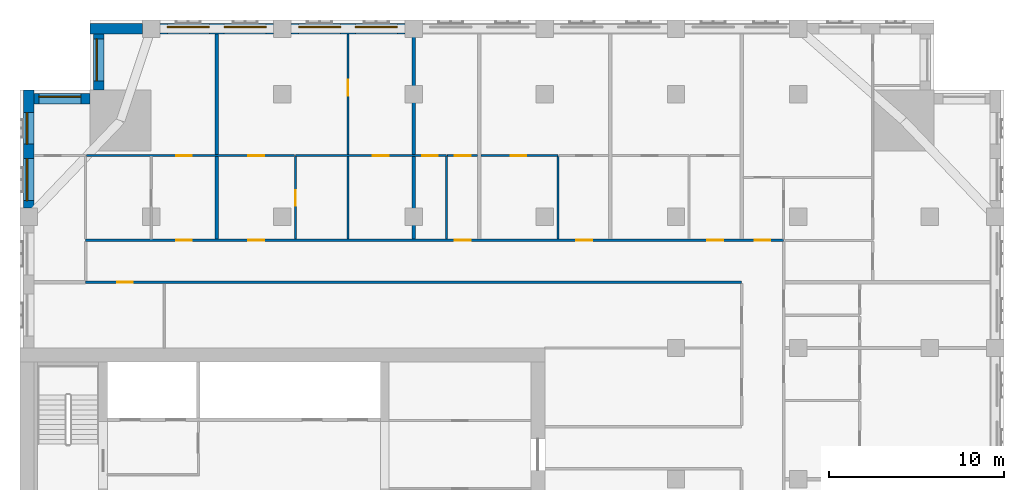
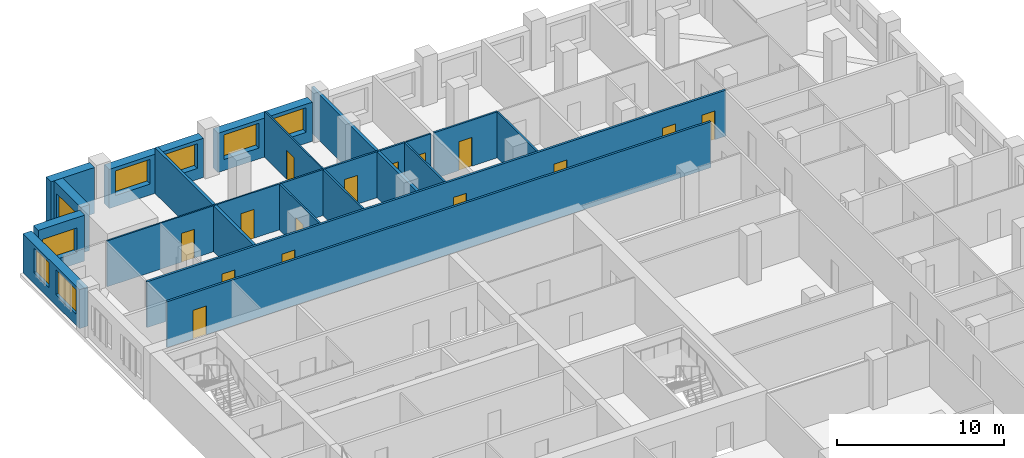
# One storey, part 9 of 14: 19 walls, 15 doors, 8 windows, 23 openings.
"""IFC4 building model written with IfcOpenShell, lengths in metres."""

from ifc_helpers import new_model, si_unit, direction, frame, frame_2d, origin, place, context, subcontext, project, spatial, rectangle, extrude, material, layer, layer_set, type_object, element, fill, save


model = new_model("IFC4")

# Units and contexts
model_context = context("Model", 3, precision=1e-05, world=origin(), true_north=direction((0.0, 1.0)))
body_context = subcontext(model_context, "Body", "Model", "MODEL_VIEW")
ifc_project = project(units=[si_unit("LENGTHUNIT", "METRE"), si_unit("AREAUNIT", "SQUARE_METRE"), si_unit("VOLUMEUNIT", "CUBIC_METRE"), si_unit("PLANEANGLEUNIT", "RADIAN"), si_unit("MASSUNIT", "GRAM", prefix="KILO")], contexts=[model_context])

# Site, building, storey
site_placement = place(None, origin())
site = spatial("IfcSite", under=ifc_project, at=site_placement, CompositionType="ELEMENT")
building_placement = place(site_placement, origin())
building = spatial("IfcBuilding", under=site, at=building_placement, Name="Tamorin Gate", CompositionType="ELEMENT")
storey_placement = place(building_placement, frame((0.0, 0.0, 148.199951171875)))
storey = spatial("IfcBuildingStorey", under=building, at=storey_placement, Name="L36", CompositionType="ELEMENT", Elevation=148.199951171875)

# Wall, openings, windows
ifc_material_1 = material(Name="Precast concrete C40/50", Category="concrete")
ifc_layer_1 = layer(ifc_material_1, 0.60009765625)
ifc_layer_set_1 = layer_set([ifc_layer_1], Name="Precast concrete C40/50")
wall_type_1 = type_object("IfcWallType", Name="Board-marked concrete facade panel 600", PredefinedType="SOLIDWALL", material=ifc_layer_set_1)
wall_1_placement = place(storey_placement, frame((52.0, 100.75, 0.0), z_axis=(0.0, 0.0, 1.0), x_axis=(-1.0, 0.0, 0.0)))
wall_1 = element("IfcWall", 1, at=wall_1_placement, inside=storey, type_object=wall_type_1, Name="Facade panel", PredefinedType="SOLIDWALL", context=body_context, shape_type="SweptSolid", body=[
    extrude(rectangle(XDim=6.5, YDim=0.60009765625, at=frame_2d((3.25, 0.0))), origin(), (0.0, 0.0, 1.0), 2.85009765625),
])
opening_1_placement = place(wall_1_placement, frame((3.675048828125, 0.0, 0.800048828125)))
opening_1 = element("IfcOpeningElement", 2, at=opening_1_placement, cuts=wall_1, Name="Opening WN1", PredefinedType="OPENING", context=body_context, shape_type="SweptSolid", body=[
    extrude(rectangle(XDim=2.39990234375, YDim=1.800048828125, at=frame_2d((1.199951171875, 0.89990234375))), frame((0.0, 0.31005859375, 0.0), z_axis=(0.0, -1.0, 0.0), x_axis=(1.0, 0.0, 0.0)), (0.0, 0.0, 1.0), 0.6201171875),
])
opening_2_placement = place(wall_1_placement, frame((0.425048828125, 0.0, 0.800048828125)))
opening_2 = element("IfcOpeningElement", 3, at=opening_2_placement, cuts=wall_1, Name="Opening WN1", PredefinedType="OPENING", context=body_context, shape_type="SweptSolid", body=[
    extrude(rectangle(XDim=2.39990234375, YDim=1.800048828125, at=frame_2d((1.199951171875, 0.89990234375))), frame((0.0, 0.31005859375, 0.0), z_axis=(0.0, -1.0, 0.0), x_axis=(1.0, 0.0, 0.0)), (0.0, 0.0, 1.0), 0.6201171875),
])
ifc_material_2 = material(Name="Clear glass in aluminium frame", Category="aluminium")
window_type_1 = type_object("IfcWindowType", Name="Deep-set window 2400x1800", PartitioningType="SINGLE_PANEL", PredefinedType="WINDOW", material=ifc_material_2)
window_1_placement = place(opening_1_placement, origin())
window_1 = element("IfcWindow", 4, at=window_1_placement, inside=storey, type_object=window_type_1, Name="Deep-set window", OverallHeight=1.800048828125, OverallWidth=2.39990234375, PartitioningType="SINGLE_PANEL", PredefinedType="WINDOW", context=body_context, shape_type="SweptSolid", body=[
    extrude(rectangle(XDim=2.39990234375, YDim=1.800048828125, at=frame_2d((1.199951171875, 0.89990234375))), frame((0.0, -0.070068359375, 0.0), z_axis=(0.0, -1.0, 0.0), x_axis=(1.0, 0.0, 0.0)), (0.0, 0.0, 1.0), 0.06005859375),
])
fill(opening_1, window_1)
window_2_placement = place(opening_2_placement, origin())
window_2 = element("IfcWindow", 5, at=window_2_placement, inside=storey, type_object=window_type_1, Name="Deep-set window", OverallHeight=1.800048828125, OverallWidth=2.39990234375, PartitioningType="SINGLE_PANEL", PredefinedType="WINDOW", context=body_context, shape_type="SweptSolid", body=[
    extrude(rectangle(XDim=2.39990234375, YDim=1.800048828125, at=frame_2d((1.199951171875, 0.89990234375))), frame((0.0, -0.070068359375, 0.0), z_axis=(0.0, -1.0, 0.0), x_axis=(1.0, 0.0, 0.0)), (0.0, 0.0, 1.0), 0.06005859375),
])
fill(opening_2, window_2)

wall_2_placement = place(storey_placement, frame((44.5, 100.75, 0.0), z_axis=(0.0, 0.0, 1.0), x_axis=(-1.0, 0.0, 0.0)))
wall_2 = element("IfcWall", 6, at=wall_2_placement, inside=storey, type_object=wall_type_1, Name="Facade panel", PredefinedType="SOLIDWALL", context=body_context, shape_type="SweptSolid", body=[
    extrude(rectangle(XDim=6.5, YDim=0.60009765625, at=frame_2d((3.25, 0.0))), origin(), (0.0, 0.0, 1.0), 2.85009765625),
])
opening_3_placement = place(wall_2_placement, frame((3.675048828125, 0.0, 0.800048828125)))
opening_3 = element("IfcOpeningElement", 7, at=opening_3_placement, cuts=wall_2, Name="Opening WN1", PredefinedType="OPENING", context=body_context, shape_type="SweptSolid", body=[
    extrude(rectangle(XDim=2.39990234375, YDim=1.800048828125, at=frame_2d((1.199951171875, 0.89990234375))), frame((0.0, 0.31005859375, 0.0), z_axis=(0.0, -1.0, 0.0), x_axis=(1.0, 0.0, 0.0)), (0.0, 0.0, 1.0), 0.6201171875),
])
opening_4_placement = place(wall_2_placement, frame((0.425048828125, 0.0, 0.800048828125)))
opening_4 = element("IfcOpeningElement", 8, at=opening_4_placement, cuts=wall_2, Name="Opening WN1", PredefinedType="OPENING", context=body_context, shape_type="SweptSolid", body=[
    extrude(rectangle(XDim=2.39990234375, YDim=1.800048828125, at=frame_2d((1.199951171875, 0.89990234375))), frame((0.0, 0.31005859375, 0.0), z_axis=(0.0, -1.0, 0.0), x_axis=(1.0, 0.0, 0.0)), (0.0, 0.0, 1.0), 0.6201171875),
])
window_3_placement = place(opening_3_placement, origin())
window_3 = element("IfcWindow", 9, at=window_3_placement, inside=storey, type_object=window_type_1, Name="Deep-set window", OverallHeight=1.800048828125, OverallWidth=2.39990234375, PartitioningType="SINGLE_PANEL", PredefinedType="WINDOW", context=body_context, shape_type="SweptSolid", body=[
    extrude(rectangle(XDim=2.39990234375, YDim=1.800048828125, at=frame_2d((1.199951171875, 0.89990234375))), frame((0.0, -0.070068359375, 0.0), z_axis=(0.0, -1.0, 0.0), x_axis=(1.0, 0.0, 0.0)), (0.0, 0.0, 1.0), 0.06005859375),
])
fill(opening_3, window_3)
window_4_placement = place(opening_4_placement, origin())
window_4 = element("IfcWindow", 10, at=window_4_placement, inside=storey, type_object=window_type_1, Name="Deep-set window", OverallHeight=1.800048828125, OverallWidth=2.39990234375, PartitioningType="SINGLE_PANEL", PredefinedType="WINDOW", context=body_context, shape_type="SweptSolid", body=[
    extrude(rectangle(XDim=2.39990234375, YDim=1.800048828125, at=frame_2d((1.199951171875, 0.89990234375))), frame((0.0, -0.070068359375, 0.0), z_axis=(0.0, -1.0, 0.0), x_axis=(1.0, 0.0, 0.0)), (0.0, 0.0, 1.0), 0.06005859375),
])
fill(opening_4, window_4)

# Wall
wall_3_placement = place(storey_placement, frame((37.0, 100.75, 0.0), z_axis=(0.0, 0.0, 1.0), x_axis=(-1.0, 0.0, 0.0)))
element("IfcWall", 11, at=wall_3_placement, inside=storey, type_object=wall_type_1, Name="Facade panel", PredefinedType="SOLIDWALL", context=body_context, shape_type="SweptSolid", body=[
    extrude(rectangle(XDim=3.0, YDim=0.60009765625, at=frame_2d((1.5, 0.0))), origin(), (0.0, 0.0, 1.0), 3.35009765625),
])

# Wall, opening, window
wall_4_placement = place(storey_placement, frame((34.5, 100.449951171875, 0.0), z_axis=(0.0, 0.0, 1.0), x_axis=(0.0, -1.0, 0.0)))
wall_4 = element("IfcWall", 12, at=wall_4_placement, inside=storey, type_object=wall_type_1, Name="Facade panel", PredefinedType="SOLIDWALL", context=body_context, shape_type="SweptSolid", body=[
    extrude(rectangle(XDim=3.199951171875, YDim=0.60009765625, at=frame_2d((1.60009765625, 0.0))), origin(), (0.0, 0.0, 1.0), 3.35009765625),
])
opening_5_placement = place(wall_4_placement, frame((0.27490234375, 0.0, 0.800048828125)))
opening_5 = element("IfcOpeningElement", 13, at=opening_5_placement, cuts=wall_4, Name="Opening WN1", PredefinedType="OPENING", context=body_context, shape_type="SweptSolid", body=[
    extrude(rectangle(XDim=2.39990234375, YDim=1.800048828125, at=frame_2d((1.199951171875, 0.89990234375))), frame((0.0, 0.31005859375, 0.0), z_axis=(0.0, -1.0, 0.0), x_axis=(1.0, 0.0, 0.0)), (0.0, 0.0, 1.0), 0.6201171875),
])
window_5_placement = place(opening_5_placement, origin())
window_5 = element("IfcWindow", 14, at=window_5_placement, inside=storey, type_object=window_type_1, Name="Deep-set window", OverallHeight=1.800048828125, OverallWidth=2.39990234375, PartitioningType="SINGLE_PANEL", PredefinedType="WINDOW", context=body_context, shape_type="SweptSolid", body=[
    extrude(rectangle(XDim=2.39990234375, YDim=1.800048828125, at=frame_2d((1.199951171875, 0.89990234375))), frame((0.0, -0.070068359375, 0.0), z_axis=(0.0, -1.0, 0.0), x_axis=(1.0, 0.0, 0.0)), (0.0, 0.0, 1.0), 0.06005859375),
])
fill(opening_5, window_5)

wall_5_placement = place(storey_placement, frame((34.0, 96.75, 0.0), z_axis=(0.0, 0.0, 1.0), x_axis=(-1.0, 0.0, 0.0)))
wall_5 = element("IfcWall", 15, at=wall_5_placement, inside=storey, type_object=wall_type_1, Name="Facade panel", PredefinedType="SOLIDWALL", context=body_context, shape_type="SweptSolid", body=[
    extrude(rectangle(XDim=3.199951171875, YDim=0.60009765625, at=frame_2d((1.60009765625, 0.0))), origin(), (0.0, 0.0, 1.0), 3.35009765625),
])
opening_6_placement = place(wall_5_placement, frame((0.52490234375, 0.0, 0.800048828125)))
opening_6 = element("IfcOpeningElement", 16, at=opening_6_placement, cuts=wall_5, Name="Opening WN1", PredefinedType="OPENING", context=body_context, shape_type="SweptSolid", body=[
    extrude(rectangle(XDim=2.39990234375, YDim=1.800048828125, at=frame_2d((1.199951171875, 0.89990234375))), frame((0.0, 0.31005859375, 0.0), z_axis=(0.0, -1.0, 0.0), x_axis=(1.0, 0.0, 0.0)), (0.0, 0.0, 1.0), 0.6201171875),
])
window_6_placement = place(opening_6_placement, origin())
window_6 = element("IfcWindow", 17, at=window_6_placement, inside=storey, type_object=window_type_1, Name="Deep-set window", OverallHeight=1.800048828125, OverallWidth=2.39990234375, PartitioningType="SINGLE_PANEL", PredefinedType="WINDOW", context=body_context, shape_type="SweptSolid", body=[
    extrude(rectangle(XDim=2.39990234375, YDim=1.800048828125, at=frame_2d((1.199951171875, 0.89990234375))), frame((0.0, -0.070068359375, 0.0), z_axis=(0.0, -1.0, 0.0), x_axis=(1.0, 0.0, 0.0)), (0.0, 0.0, 1.0), 0.06005859375),
])
fill(opening_6, window_6)

# Wall, openings, windows
wall_6_placement = place(storey_placement, frame((30.5, 97.25, 0.0), z_axis=(0.0, 0.0, 1.0), x_axis=(0.0, -1.0, 0.0)))
wall_6 = element("IfcWall", 18, at=wall_6_placement, inside=storey, type_object=wall_type_1, Name="Facade panel", PredefinedType="SOLIDWALL", context=body_context, shape_type="SweptSolid", body=[
    extrude(rectangle(XDim=6.75, YDim=0.60009765625, at=frame_2d((3.375, 0.0))), origin(), (0.0, 0.0, 1.0), 2.85009765625),
])
opening_7_placement = place(wall_6_placement, frame((3.925048828125, 0.0, 0.800048828125)))
opening_7 = element("IfcOpeningElement", 19, at=opening_7_placement, cuts=wall_6, Name="Opening WN1", PredefinedType="OPENING", context=body_context, shape_type="SweptSolid", body=[
    extrude(rectangle(XDim=2.39990234375, YDim=1.800048828125, at=frame_2d((1.199951171875, 0.89990234375))), frame((0.0, 0.31005859375, 0.0), z_axis=(0.0, -1.0, 0.0), x_axis=(1.0, 0.0, 0.0)), (0.0, 0.0, 1.0), 0.6201171875),
])
opening_8_placement = place(wall_6_placement, frame((1.300048828125, 0.0, 0.800048828125)))
opening_8 = element("IfcOpeningElement", 20, at=opening_8_placement, cuts=wall_6, Name="Opening WN2", PredefinedType="OPENING", context=body_context, shape_type="SweptSolid", body=[
    extrude(rectangle(XDim=1.800048828125, YDim=1.800048828125, at=frame_2d((0.89990234375, 0.89990234375))), frame((0.0, 0.31005859375, 0.0), z_axis=(0.0, -1.0, 0.0), x_axis=(1.0, 0.0, 0.0)), (0.0, 0.0, 1.0), 0.6201171875),
])
window_type_2 = type_object("IfcWindowType", Name="Deep-set window 1800x1800", PartitioningType="SINGLE_PANEL", PredefinedType="WINDOW", material=ifc_material_2)
window_7_placement = place(opening_8_placement, origin())
window_7 = element("IfcWindow", 21, at=window_7_placement, inside=storey, type_object=window_type_2, Name="Deep-set window", OverallHeight=1.800048828125, OverallWidth=1.800048828125, PartitioningType="SINGLE_PANEL", PredefinedType="WINDOW", context=body_context, shape_type="SweptSolid", body=[
    extrude(rectangle(XDim=1.800048828125, YDim=1.800048828125, at=frame_2d((0.89990234375, 0.89990234375))), frame((0.0, -0.070068359375, 0.0), z_axis=(0.0, -1.0, 0.0), x_axis=(1.0, 0.0, 0.0)), (0.0, 0.0, 1.0), 0.06005859375),
])
fill(opening_8, window_7)
window_8_placement = place(opening_7_placement, origin())
window_8 = element("IfcWindow", 22, at=window_8_placement, inside=storey, type_object=window_type_1, Name="Deep-set window", OverallHeight=1.800048828125, OverallWidth=2.39990234375, PartitioningType="SINGLE_PANEL", PredefinedType="WINDOW", context=body_context, shape_type="SweptSolid", body=[
    extrude(rectangle(XDim=2.39990234375, YDim=1.800048828125, at=frame_2d((1.199951171875, 0.89990234375))), frame((0.0, -0.070068359375, 0.0), z_axis=(0.0, -1.0, 0.0), x_axis=(1.0, 0.0, 0.0)), (0.0, 0.0, 1.0), 0.06005859375),
])
fill(opening_7, window_8)

# Wall, opening, door
ifc_material_3 = material(Name="Gypsum board partition")
ifc_layer_2 = layer(ifc_material_3, 0.14990234375)
ifc_layer_set_2 = layer_set([ifc_layer_2], Name="Corridor wall 150")
wall_type_2 = type_object("IfcWallType", Name="Corridor wall 150", PredefinedType="PARTITIONING", material=ifc_layer_set_2)
wall_7_placement = place(storey_placement, frame((33.75, 86.25, 0.0), z_axis=(0.0, 0.0, 1.0), x_axis=(1.0, 0.0, 0.0)))
wall_7 = element("IfcWall", 23, at=wall_7_placement, inside=storey, type_object=wall_type_2, Name="Corridor wall 150", PredefinedType="PARTITIONING", context=body_context, shape_type="SweptSolid", body=[
    extrude(rectangle(XDim=37.5, YDim=0.14990234375, at=frame_2d((18.75, 0.0))), origin(), (0.0, 0.0, 1.0), 3.35009765625),
])
opening_9_placement = place(wall_7_placement, frame((1.800048828125, 0.0, 0.0)))
opening_9 = element("IfcOpeningElement", 24, at=opening_9_placement, cuts=wall_7, Name="Opening DS2070", PredefinedType="OPENING", context=body_context, shape_type="SweptSolid", body=[
    extrude(rectangle(XDim=0.89990234375, YDim=2.10009765625, at=frame_2d((0.449951171875, 1.050048828125))), frame((0.0, 0.0849609375, 0.0), z_axis=(0.0, -1.0, 0.0), x_axis=(1.0, 0.0, 0.0)), (0.0, 0.0, 1.0), 0.169921875),
])
ifc_material_4 = material(Name="Timber door leaf", Category="wood")
door_type_1 = type_object("IfcDoorType", Name="Door 900 x 2100 FD30S", OperationType="NOTDEFINED", PredefinedType="DOOR", material=ifc_material_4)
door_1_placement = place(opening_9_placement, origin())
door_1 = element("IfcDoor", 25, at=door_1_placement, inside=storey, type_object=door_type_1, Name="Door DS2070", OperationType="SINGLE_SWING_RIGHT", OverallHeight=2.10009765625, OverallWidth=0.89990234375, PredefinedType="DOOR", context=body_context, shape_type="SweptSolid", body=[
    extrude(rectangle(XDim=0.89990234375, YDim=2.10009765625, at=frame_2d((0.449951171875, 1.050048828125))), frame((0.0, 0.02490234375, 0.0), z_axis=(0.0, -1.0, 0.0), x_axis=(1.0, 0.0, 0.0)), (0.0, 0.0, 1.0), 0.050048828125),
])
fill(opening_9, door_1)

# Wall, openings, doors
wall_8_placement = place(storey_placement, frame((33.75, 88.64990234375, 0.0), z_axis=(0.0, 0.0, 1.0), x_axis=(1.0, 0.0, 0.0)))
wall_8 = element("IfcWall", 26, at=wall_8_placement, inside=storey, type_object=wall_type_2, Name="Corridor wall 150", PredefinedType="PARTITIONING", context=body_context, shape_type="SweptSolid", body=[
    extrude(rectangle(XDim=39.89990234375, YDim=0.14990234375, at=frame_2d((19.949951171875, 0.0))), origin(), (0.0, 0.0, 1.0), 3.35009765625),
])
opening_10_placement = place(wall_8_placement, frame((5.175048828125, 0.0, 0.0)))
opening_10 = element("IfcOpeningElement", 27, at=opening_10_placement, cuts=wall_8, Name="Opening DS2021", PredefinedType="OPENING", context=body_context, shape_type="SweptSolid", body=[
    extrude(rectangle(XDim=0.89990234375, YDim=2.10009765625, at=frame_2d((0.449951171875, 1.050048828125))), frame((0.0, 0.0849609375, 0.0), z_axis=(0.0, -1.0, 0.0), x_axis=(1.0, 0.0, 0.0)), (0.0, 0.0, 1.0), 0.169921875),
])
opening_11_placement = place(wall_8_placement, frame((9.300048828125, 0.0, 0.0)))
opening_11 = element("IfcOpeningElement", 28, at=opening_11_placement, cuts=wall_8, Name="Opening DS2023", PredefinedType="OPENING", context=body_context, shape_type="SweptSolid", body=[
    extrude(rectangle(XDim=0.89990234375, YDim=2.10009765625, at=frame_2d((0.449951171875, 1.050048828125))), frame((0.0, 0.0849609375, 0.0), z_axis=(0.0, -1.0, 0.0), x_axis=(1.0, 0.0, 0.0)), (0.0, 0.0, 1.0), 0.169921875),
])
opening_12_placement = place(wall_8_placement, frame((21.112548828125, 0.0, 0.0)))
opening_12 = element("IfcOpeningElement", 29, at=opening_12_placement, cuts=wall_8, Name="Opening DS2029", PredefinedType="OPENING", context=body_context, shape_type="SweptSolid", body=[
    extrude(rectangle(XDim=0.89990234375, YDim=2.10009765625, at=frame_2d((0.449951171875, 1.050048828125))), frame((0.0, 0.0849609375, 0.0), z_axis=(0.0, -1.0, 0.0), x_axis=(1.0, 0.0, 0.0)), (0.0, 0.0, 1.0), 0.169921875),
])
opening_13_placement = place(wall_8_placement, frame((28.050048828125, 0.0, 0.0)))
opening_13 = element("IfcOpeningElement", 30, at=opening_13_placement, cuts=wall_8, Name="Opening DS2032", PredefinedType="OPENING", context=body_context, shape_type="SweptSolid", body=[
    extrude(rectangle(XDim=0.89990234375, YDim=2.10009765625, at=frame_2d((0.449951171875, 1.050048828125))), frame((0.0, 0.0849609375, 0.0), z_axis=(0.0, -1.0, 0.0), x_axis=(1.0, 0.0, 0.0)), (0.0, 0.0, 1.0), 0.169921875),
])
opening_14_placement = place(wall_8_placement, frame((35.550048828125, 0.0, 0.0)))
opening_14 = element("IfcOpeningElement", 31, at=opening_14_placement, cuts=wall_8, Name="Opening DS2035", PredefinedType="OPENING", context=body_context, shape_type="SweptSolid", body=[
    extrude(rectangle(XDim=0.89990234375, YDim=2.10009765625, at=frame_2d((0.449951171875, 1.050048828125))), frame((0.0, 0.0849609375, 0.0), z_axis=(0.0, -1.0, 0.0), x_axis=(1.0, 0.0, 0.0)), (0.0, 0.0, 1.0), 0.169921875),
])
opening_15_placement = place(wall_8_placement, frame((38.25, 0.0, 0.0)))
opening_15 = element("IfcOpeningElement", 32, at=opening_15_placement, cuts=wall_8, Name="Opening DS2060", PredefinedType="OPENING", context=body_context, shape_type="SweptSolid", body=[
    extrude(rectangle(XDim=0.89990234375, YDim=2.10009765625, at=frame_2d((0.449951171875, 1.050048828125))), frame((0.0, 0.0849609375, 0.0), z_axis=(0.0, -1.0, 0.0), x_axis=(1.0, 0.0, 0.0)), (0.0, 0.0, 1.0), 0.169921875),
])
door_2_placement = place(opening_10_placement, origin())
door_2 = element("IfcDoor", 33, at=door_2_placement, inside=storey, type_object=door_type_1, Name="Door DS2021", OperationType="SINGLE_SWING_LEFT", OverallHeight=2.10009765625, OverallWidth=0.89990234375, PredefinedType="DOOR", context=body_context, shape_type="SweptSolid", body=[
    extrude(rectangle(XDim=0.89990234375, YDim=2.10009765625, at=frame_2d((0.449951171875, 1.050048828125))), frame((0.0, 0.02490234375, 0.0), z_axis=(0.0, -1.0, 0.0), x_axis=(1.0, 0.0, 0.0)), (0.0, 0.0, 1.0), 0.050048828125),
])
fill(opening_10, door_2)
door_3_placement = place(opening_11_placement, origin())
door_3 = element("IfcDoor", 34, at=door_3_placement, inside=storey, type_object=door_type_1, Name="Door DS2023", OperationType="SINGLE_SWING_LEFT", OverallHeight=2.10009765625, OverallWidth=0.89990234375, PredefinedType="DOOR", context=body_context, shape_type="SweptSolid", body=[
    extrude(rectangle(XDim=0.89990234375, YDim=2.10009765625, at=frame_2d((0.449951171875, 1.050048828125))), frame((0.0, 0.02490234375, 0.0), z_axis=(0.0, -1.0, 0.0), x_axis=(1.0, 0.0, 0.0)), (0.0, 0.0, 1.0), 0.050048828125),
])
fill(opening_11, door_3)
door_4_placement = place(opening_12_placement, origin())
door_4 = element("IfcDoor", 35, at=door_4_placement, inside=storey, type_object=door_type_1, Name="Door DS2029", OperationType="SINGLE_SWING_LEFT", OverallHeight=2.10009765625, OverallWidth=0.89990234375, PredefinedType="DOOR", context=body_context, shape_type="SweptSolid", body=[
    extrude(rectangle(XDim=0.89990234375, YDim=2.10009765625, at=frame_2d((0.449951171875, 1.050048828125))), frame((0.0, 0.02490234375, 0.0), z_axis=(0.0, -1.0, 0.0), x_axis=(1.0, 0.0, 0.0)), (0.0, 0.0, 1.0), 0.050048828125),
])
fill(opening_12, door_4)
door_5_placement = place(opening_13_placement, origin())
door_5 = element("IfcDoor", 36, at=door_5_placement, inside=storey, type_object=door_type_1, Name="Door DS2032", OperationType="SINGLE_SWING_LEFT", OverallHeight=2.10009765625, OverallWidth=0.89990234375, PredefinedType="DOOR", context=body_context, shape_type="SweptSolid", body=[
    extrude(rectangle(XDim=0.89990234375, YDim=2.10009765625, at=frame_2d((0.449951171875, 1.050048828125))), frame((0.0, 0.02490234375, 0.0), z_axis=(0.0, -1.0, 0.0), x_axis=(1.0, 0.0, 0.0)), (0.0, 0.0, 1.0), 0.050048828125),
])
fill(opening_13, door_5)
door_6_placement = place(opening_14_placement, origin())
door_6 = element("IfcDoor", 37, at=door_6_placement, inside=storey, type_object=door_type_1, Name="Door DS2035", OperationType="SINGLE_SWING_LEFT", OverallHeight=2.10009765625, OverallWidth=0.89990234375, PredefinedType="DOOR", context=body_context, shape_type="SweptSolid", body=[
    extrude(rectangle(XDim=0.89990234375, YDim=2.10009765625, at=frame_2d((0.449951171875, 1.050048828125))), frame((0.0, 0.02490234375, 0.0), z_axis=(0.0, -1.0, 0.0), x_axis=(1.0, 0.0, 0.0)), (0.0, 0.0, 1.0), 0.050048828125),
])
fill(opening_14, door_6)
door_7_placement = place(opening_15_placement, origin())
door_7 = element("IfcDoor", 38, at=door_7_placement, inside=storey, type_object=door_type_1, Name="Door DS2060", OperationType="SINGLE_SWING_RIGHT", OverallHeight=2.10009765625, OverallWidth=0.89990234375, PredefinedType="DOOR", context=body_context, shape_type="SweptSolid", body=[
    extrude(rectangle(XDim=0.89990234375, YDim=2.10009765625, at=frame_2d((0.449951171875, 1.050048828125))), frame((0.0, 0.02490234375, 0.0), z_axis=(0.0, -1.0, 0.0), x_axis=(1.0, 0.0, 0.0)), (0.0, 0.0, 1.0), 0.050048828125),
])
fill(opening_15, door_7)

# Walls
ifc_layer_3 = layer(ifc_material_3, 0.199951171875)
ifc_layer_set_3 = layer_set([ifc_layer_3], Name="Demising wall 200")
wall_type_3 = type_object("IfcWallType", Name="Demising wall 200", PredefinedType="PARTITIONING", material=ifc_layer_set_3)
wall_9_placement = place(storey_placement, frame((41.25, 88.72509765625, 0.0), z_axis=(0.0, 0.0, 1.0), x_axis=(0.0, 1.0, 0.0)))
element("IfcWall", 39, at=wall_9_placement, inside=storey, type_object=wall_type_3, Name="Demising wall 200", PredefinedType="PARTITIONING", context=body_context, shape_type="SweptSolid", body=[
    extrude(rectangle(XDim=11.71484375, YDim=0.199951171875, at=frame_2d((5.857421875, 0.0))), origin(), (0.0, 0.0, 1.0), 3.35009765625),
])
wall_10_placement = place(storey_placement, frame((52.5, 88.72509765625, 0.0), z_axis=(0.0, 0.0, 1.0), x_axis=(0.0, 1.0, 0.0)))
element("IfcWall", 40, at=wall_10_placement, inside=storey, type_object=wall_type_3, Name="Demising wall 200", PredefinedType="PARTITIONING", context=body_context, shape_type="SweptSolid", body=[
    extrude(rectangle(XDim=12.52490234375, YDim=0.199951171875, at=frame_2d((6.262451171875, 0.0))), origin(), (0.0, 0.0, 1.0), 3.35009765625),
])

# Wall, openings, doors
ifc_layer_4 = layer(ifc_material_3, 0.10009765625)
ifc_layer_set_4 = layer_set([ifc_layer_4], Name="Room partition 100")
wall_type_4 = type_object("IfcWallType", Name="Room partition 100", PredefinedType="PARTITIONING", material=ifc_layer_set_4)
wall_11_placement = place(storey_placement, frame((33.8125, 93.5, 0.0), z_axis=(0.0, 0.0, 1.0), x_axis=(1.0, 0.0, 0.0)))
wall_11 = element("IfcWall", 41, at=wall_11_placement, inside=storey, type_object=wall_type_4, Name="Room partition 100", PredefinedType="PARTITIONING", context=body_context, shape_type="SweptSolid", body=[
    extrude(rectangle(XDim=11.875, YDim=0.10009765625, at=frame_2d((5.9375, 0.0))), origin(), (0.0, 0.0, 1.0), 3.35009765625),
])
opening_16_placement = place(wall_11_placement, frame((5.112548828125, 0.0, 0.0)))
opening_16 = element("IfcOpeningElement", 42, at=opening_16_placement, cuts=wall_11, Name="Opening DS2022", PredefinedType="OPENING", context=body_context, shape_type="SweptSolid", body=[
    extrude(rectangle(XDim=0.89990234375, YDim=2.10009765625, at=frame_2d((0.449951171875, 1.050048828125))), frame((0.0, 0.06005859375, 0.0), z_axis=(0.0, -1.0, 0.0), x_axis=(1.0, 0.0, 0.0)), (0.0, 0.0, 1.0), 0.1201171875),
])
opening_17_placement = place(wall_11_placement, frame((9.237548828125, 0.0, 0.0)))
opening_17 = element("IfcOpeningElement", 43, at=opening_17_placement, cuts=wall_11, Name="Opening DS2024", PredefinedType="OPENING", context=body_context, shape_type="SweptSolid", body=[
    extrude(rectangle(XDim=0.89990234375, YDim=2.10009765625, at=frame_2d((0.449951171875, 1.050048828125))), frame((0.0, 0.06005859375, 0.0), z_axis=(0.0, -1.0, 0.0), x_axis=(1.0, 0.0, 0.0)), (0.0, 0.0, 1.0), 0.1201171875),
])
door_type_2 = type_object("IfcDoorType", Name="Door 900 x 2100", OperationType="NOTDEFINED", PredefinedType="DOOR", material=ifc_material_4)
door_8_placement = place(opening_16_placement, origin())
door_8 = element("IfcDoor", 44, at=door_8_placement, inside=storey, type_object=door_type_2, Name="Door DS2022", OperationType="SINGLE_SWING_RIGHT", OverallHeight=2.10009765625, OverallWidth=0.89990234375, PredefinedType="DOOR", context=body_context, shape_type="SweptSolid", body=[
    extrude(rectangle(XDim=0.89990234375, YDim=2.10009765625, at=frame_2d((0.449951171875, 1.050048828125))), frame((0.0, 0.02490234375, 0.0), z_axis=(0.0, -1.0, 0.0), x_axis=(1.0, 0.0, 0.0)), (0.0, 0.0, 1.0), 0.050048828125),
])
fill(opening_16, door_8)
door_9_placement = place(opening_17_placement, origin())
door_9 = element("IfcDoor", 45, at=door_9_placement, inside=storey, type_object=door_type_2, Name="Door DS2024", OperationType="SINGLE_SWING_RIGHT", OverallHeight=2.10009765625, OverallWidth=0.89990234375, PredefinedType="DOOR", context=body_context, shape_type="SweptSolid", body=[
    extrude(rectangle(XDim=0.89990234375, YDim=2.10009765625, at=frame_2d((0.449951171875, 1.050048828125))), frame((0.0, 0.02490234375, 0.0), z_axis=(0.0, -1.0, 0.0), x_axis=(1.0, 0.0, 0.0)), (0.0, 0.0, 1.0), 0.050048828125),
])
fill(opening_17, door_9)

# Wall, opening, door
wall_12_placement = place(storey_placement, frame((54.4375, 93.5, 0.0), z_axis=(0.0, 0.0, 1.0), x_axis=(1.0, 0.0, 0.0)))
wall_12 = element("IfcWall", 46, at=wall_12_placement, inside=storey, type_object=wall_type_4, Name="Room partition 100", PredefinedType="PARTITIONING", context=body_context, shape_type="SweptSolid", body=[
    extrude(rectangle(XDim=1.71240234375, YDim=0.10009765625, at=frame_2d((0.856201171875, 0.0))), origin(), (0.0, 0.0, 1.0), 3.35009765625),
])
opening_18_placement = place(wall_12_placement, frame((0.425048828125, 0.0, 0.0)))
opening_18 = element("IfcOpeningElement", 47, at=opening_18_placement, cuts=wall_12, Name="Opening DS2030", PredefinedType="OPENING", context=body_context, shape_type="SweptSolid", body=[
    extrude(rectangle(XDim=0.89990234375, YDim=2.10009765625, at=frame_2d((0.449951171875, 1.050048828125))), frame((0.0, 0.06005859375, 0.0), z_axis=(0.0, -1.0, 0.0), x_axis=(1.0, 0.0, 0.0)), (0.0, 0.0, 1.0), 0.1201171875),
])
door_10_placement = place(opening_18_placement, origin())
door_10 = element("IfcDoor", 48, at=door_10_placement, inside=storey, type_object=door_type_2, Name="Door DS2030", OperationType="SINGLE_SWING_RIGHT", OverallHeight=2.10009765625, OverallWidth=0.89990234375, PredefinedType="DOOR", context=body_context, shape_type="SweptSolid", body=[
    extrude(rectangle(XDim=0.89990234375, YDim=2.10009765625, at=frame_2d((0.449951171875, 1.050048828125))), frame((0.0, 0.02490234375, 0.0), z_axis=(0.0, -1.0, 0.0), x_axis=(1.0, 0.0, 0.0)), (0.0, 0.0, 1.0), 0.050048828125),
])
fill(opening_18, door_10)

wall_13_placement = place(storey_placement, frame((48.75, 93.5625, 0.0), z_axis=(0.0, 0.0, 1.0), x_axis=(0.0, 1.0, 0.0)))
wall_13 = element("IfcWall", 49, at=wall_13_placement, inside=storey, type_object=wall_type_4, Name="Room partition 100", PredefinedType="PARTITIONING", context=body_context, shape_type="SweptSolid", body=[
    extrude(rectangle(XDim=6.87744140625, YDim=0.10009765625, at=frame_2d((3.438720703125, 0.0))), origin(), (0.0, 0.0, 1.0), 3.35009765625),
])
opening_19_placement = place(wall_13_placement, frame((3.362548828125, 0.0, 0.0)))
opening_19 = element("IfcOpeningElement", 50, at=opening_19_placement, cuts=wall_13, Name="Opening DS2027", PredefinedType="OPENING", context=body_context, shape_type="SweptSolid", body=[
    extrude(rectangle(XDim=0.89990234375, YDim=2.10009765625, at=frame_2d((0.449951171875, 1.050048828125))), frame((0.0, 0.06005859375, 0.0), z_axis=(0.0, -1.0, 0.0), x_axis=(1.0, 0.0, 0.0)), (0.0, 0.0, 1.0), 0.1201171875),
])
door_11_placement = place(opening_19_placement, origin())
door_11 = element("IfcDoor", 51, at=door_11_placement, inside=storey, type_object=door_type_2, Name="Door DS2027", OperationType="SINGLE_SWING_LEFT", OverallHeight=2.10009765625, OverallWidth=0.89990234375, PredefinedType="DOOR", context=body_context, shape_type="SweptSolid", body=[
    extrude(rectangle(XDim=0.89990234375, YDim=2.10009765625, at=frame_2d((0.449951171875, 1.050048828125))), frame((0.0, 0.02490234375, 0.0), z_axis=(0.0, -1.0, 0.0), x_axis=(1.0, 0.0, 0.0)), (0.0, 0.0, 1.0), 0.050048828125),
])
fill(opening_19, door_11)

# Wall, openings, doors
ifc_layer_5 = layer(ifc_material_3, 0.125)
ifc_layer_set_5 = layer_set([ifc_layer_5], Name="Wet wall 125")
wall_type_5 = type_object("IfcWallType", Name="Wet wall 125", PredefinedType="PARTITIONING", material=ifc_layer_set_5)
wall_14_placement = place(storey_placement, frame((45.75, 93.5, 0.0), z_axis=(0.0, 0.0, 1.0), x_axis=(1.0, 0.0, 0.0)))
wall_14 = element("IfcWall", 52, at=wall_14_placement, inside=storey, type_object=wall_type_5, Name="Wet wall 125", PredefinedType="PARTITIONING", context=body_context, shape_type="SweptSolid", body=[
    extrude(rectangle(XDim=8.625, YDim=0.125, at=frame_2d((4.3125, 0.0))), origin(), (0.0, 0.0, 1.0), 3.35009765625),
])
opening_20_placement = place(wall_14_placement, frame((4.425048828125, 0.0, 0.0)))
opening_20 = element("IfcOpeningElement", 53, at=opening_20_placement, cuts=wall_14, Name="Opening DS2026", PredefinedType="OPENING", context=body_context, shape_type="SweptSolid", body=[
    extrude(rectangle(XDim=0.89990234375, YDim=2.10009765625, at=frame_2d((0.449951171875, 1.050048828125))), frame((0.0, 0.072509765625, 0.0), z_axis=(0.0, -1.0, 0.0), x_axis=(1.0, 0.0, 0.0)), (0.0, 0.0, 1.0), 0.14501953125),
])
opening_21_placement = place(wall_14_placement, frame((7.237548828125, 0.0, 0.0)))
opening_21 = element("IfcOpeningElement", 54, at=opening_21_placement, cuts=wall_14, Name="Opening DS2028", PredefinedType="OPENING", context=body_context, shape_type="SweptSolid", body=[
    extrude(rectangle(XDim=0.89990234375, YDim=2.10009765625, at=frame_2d((0.449951171875, 1.050048828125))), frame((0.0, 0.072509765625, 0.0), z_axis=(0.0, -1.0, 0.0), x_axis=(1.0, 0.0, 0.0)), (0.0, 0.0, 1.0), 0.14501953125),
])
door_12_placement = place(opening_20_placement, origin())
door_12 = element("IfcDoor", 55, at=door_12_placement, inside=storey, type_object=door_type_2, Name="Door DS2026", OperationType="SINGLE_SWING_RIGHT", OverallHeight=2.10009765625, OverallWidth=0.89990234375, PredefinedType="DOOR", context=body_context, shape_type="SweptSolid", body=[
    extrude(rectangle(XDim=0.89990234375, YDim=2.10009765625, at=frame_2d((0.449951171875, 1.050048828125))), frame((0.0, 0.02490234375, 0.0), z_axis=(0.0, -1.0, 0.0), x_axis=(1.0, 0.0, 0.0)), (0.0, 0.0, 1.0), 0.050048828125),
])
fill(opening_20, door_12)
door_13_placement = place(opening_21_placement, origin())
door_13 = element("IfcDoor", 56, at=door_13_placement, inside=storey, type_object=door_type_2, Name="Door DS2028", OperationType="SINGLE_SWING_RIGHT", OverallHeight=2.10009765625, OverallWidth=0.89990234375, PredefinedType="DOOR", context=body_context, shape_type="SweptSolid", body=[
    extrude(rectangle(XDim=0.89990234375, YDim=2.10009765625, at=frame_2d((0.449951171875, 1.050048828125))), frame((0.0, 0.02490234375, 0.0), z_axis=(0.0, -1.0, 0.0), x_axis=(1.0, 0.0, 0.0)), (0.0, 0.0, 1.0), 0.050048828125),
])
fill(opening_21, door_13)

# Wall, opening, door
wall_15_placement = place(storey_placement, frame((56.35009765625, 93.5, 0.0), z_axis=(0.0, 0.0, 1.0), x_axis=(1.0, 0.0, 0.0)))
wall_15 = element("IfcWall", 57, at=wall_15_placement, inside=storey, type_object=wall_type_5, Name="Wet wall 125", PredefinedType="PARTITIONING", context=body_context, shape_type="SweptSolid", body=[
    extrude(rectangle(XDim=4.39990234375, YDim=0.125, at=frame_2d((2.199951171875, 0.0))), origin(), (0.0, 0.0, 1.0), 3.35009765625),
])
opening_22_placement = place(wall_15_placement, frame((1.699951171875, 0.0, 0.0)))
opening_22 = element("IfcOpeningElement", 58, at=opening_22_placement, cuts=wall_15, Name="Opening DS2031", PredefinedType="OPENING", context=body_context, shape_type="SweptSolid", body=[
    extrude(rectangle(XDim=0.89990234375, YDim=2.10009765625, at=frame_2d((0.449951171875, 1.050048828125))), frame((0.0, 0.072509765625, 0.0), z_axis=(0.0, -1.0, 0.0), x_axis=(1.0, 0.0, 0.0)), (0.0, 0.0, 1.0), 0.14501953125),
])
door_14_placement = place(opening_22_placement, origin())
door_14 = element("IfcDoor", 59, at=door_14_placement, inside=storey, type_object=door_type_2, Name="Door DS2031", OperationType="SINGLE_SWING_RIGHT", OverallHeight=2.10009765625, OverallWidth=0.89990234375, PredefinedType="DOOR", context=body_context, shape_type="SweptSolid", body=[
    extrude(rectangle(XDim=0.89990234375, YDim=2.10009765625, at=frame_2d((0.449951171875, 1.050048828125))), frame((0.0, 0.02490234375, 0.0), z_axis=(0.0, -1.0, 0.0), x_axis=(1.0, 0.0, 0.0)), (0.0, 0.0, 1.0), 0.050048828125),
])
fill(opening_22, door_14)

wall_16_placement = place(storey_placement, frame((45.75, 88.72509765625, 0.0), z_axis=(0.0, 0.0, 1.0), x_axis=(0.0, 1.0, 0.0)))
wall_16 = element("IfcWall", 60, at=wall_16_placement, inside=storey, type_object=wall_type_5, Name="Wet wall 125", PredefinedType="PARTITIONING", context=body_context, shape_type="SweptSolid", body=[
    extrude(rectangle(XDim=4.71240234375, YDim=0.125, at=frame_2d((2.356201171875, 0.0))), origin(), (0.0, 0.0, 1.0), 3.35009765625),
])
opening_23_placement = place(wall_16_placement, frame((1.89990234375, 0.0, 0.0)))
opening_23 = element("IfcOpeningElement", 61, at=opening_23_placement, cuts=wall_16, Name="Opening DS2025", PredefinedType="OPENING", context=body_context, shape_type="SweptSolid", body=[
    extrude(rectangle(XDim=0.89990234375, YDim=2.10009765625, at=frame_2d((0.449951171875, 1.050048828125))), frame((0.0, 0.072509765625, 0.0), z_axis=(0.0, -1.0, 0.0), x_axis=(1.0, 0.0, 0.0)), (0.0, 0.0, 1.0), 0.14501953125),
])
door_15_placement = place(opening_23_placement, origin())
door_15 = element("IfcDoor", 62, at=door_15_placement, inside=storey, type_object=door_type_2, Name="Door DS2025", OperationType="SINGLE_SWING_LEFT", OverallHeight=2.10009765625, OverallWidth=0.89990234375, PredefinedType="DOOR", context=body_context, shape_type="SweptSolid", body=[
    extrude(rectangle(XDim=0.89990234375, YDim=2.10009765625, at=frame_2d((0.449951171875, 1.050048828125))), frame((0.0, 0.02490234375, 0.0), z_axis=(0.0, -1.0, 0.0), x_axis=(1.0, 0.0, 0.0)), (0.0, 0.0, 1.0), 0.050048828125),
])
fill(opening_23, door_15)

# Walls
for number, where, z_axis, x_axis, name in (
    (63, (48.75, 88.72509765625, 0.0), (0.0, 0.0, 1.0), (0.0, 1.0, 0.0), "Wet wall 125"),
    (64, (54.375, 88.72509765625, 0.0), (0.0, 0.0, 1.0), (0.0, 1.0, 0.0), "Wet wall 125"),
    (65, (60.75, 88.72509765625, 0.0), (0.0, 0.0, 1.0), (0.0, 1.0, 0.0), "Wet wall 125"),
):
    element("IfcWall", number, at=place(storey_placement, frame(where, z_axis=z_axis, x_axis=x_axis)), inside=storey, type_object=wall_type_5, Name=name, PredefinedType="PARTITIONING", context=body_context, shape_type="SweptSolid", body=[
        extrude(rectangle(XDim=4.71240234375, YDim=0.125, at=frame_2d((2.356201171875, 0.0))), origin(), (0.0, 0.0, 1.0), 3.35009765625),
    ])

save(model, "model.ifc")
